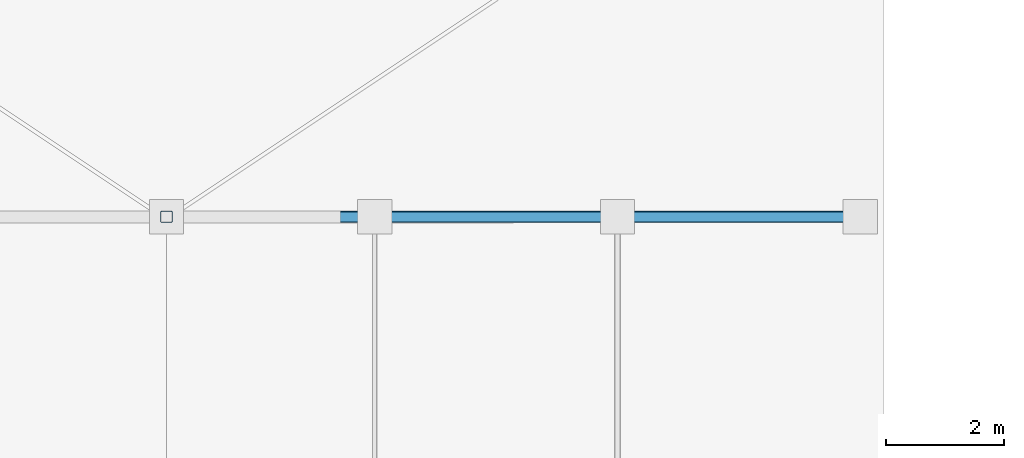
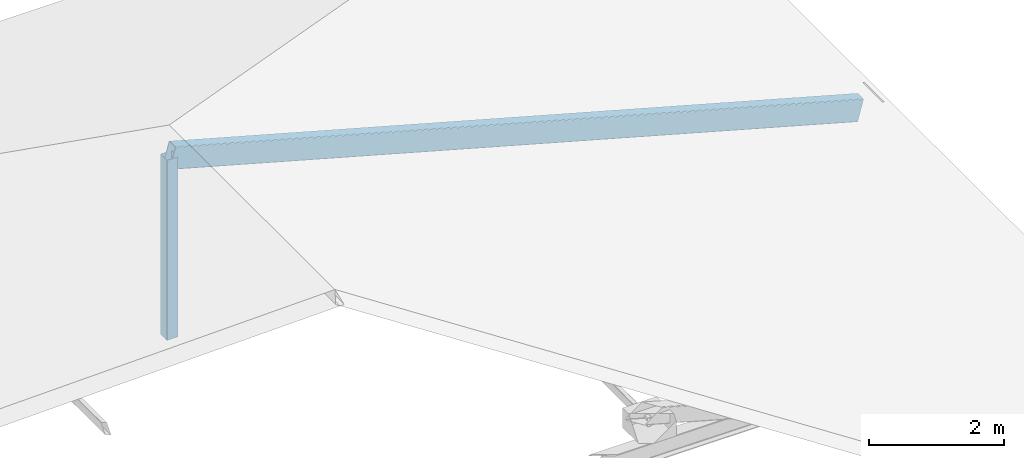
# One storey, part 29 of 54: 2 members.
"""IFC4 building model written with IfcOpenShell, lengths in metres."""

from ifc_helpers import new_model, si_unit, direction, frame, origin, origin_2d, place, context, subcontext, project, spatial, hollow_rectangle, extrude, material, material_profile, profile_set, type_object, element, save


model = new_model("IFC4")

# Units and contexts
model_context = context("Model", 3, precision=1e-05, world=origin(), true_north=direction((0.0, 1.0)))
body_context = subcontext(model_context, "Body", "Model", "MODEL_VIEW")
ifc_project = project(units=[si_unit("LENGTHUNIT", "METRE"), si_unit("AREAUNIT", "SQUARE_METRE"), si_unit("VOLUMEUNIT", "CUBIC_METRE"), si_unit("PLANEANGLEUNIT", "RADIAN"), si_unit("MASSUNIT", "GRAM", prefix="KILO")], contexts=[model_context])

# Site, building, storey
site_placement = place(None, origin())
site = spatial("IfcSite", under=ifc_project, at=site_placement, CompositionType="ELEMENT")
building_placement = place(site_placement, origin())
building = spatial("IfcBuilding", under=site, at=building_placement, Name="Parian Resonance Hall", CompositionType="ELEMENT")
storey_placement = place(building_placement, frame((0.0, 0.0, 15.0)))
storey = spatial("IfcBuildingStorey", under=building, at=storey_placement, Name="L03", CompositionType="ELEMENT", Elevation=15.0)

# Members
ifc_material_1 = material(Name="Hollow structural steel S355", Category="steel")
ifc_material_profile_1 = material_profile(ifc_material_1, hollow_rectangle(XDim=0.199951171875, YDim=0.39990234375, WallThickness=0.01416015625, InnerFilletRadius=0.01416015625, OuterFilletRadius=0.0283203125, at=origin_2d()), Name="RHS400x200x14.2")
ifc_profile_set_1 = profile_set([ifc_material_profile_1], Name="Hollow structural steel S355")
member_type_1 = type_object("IfcMemberType", Name="MEM-RHS400", PredefinedType="RAFTER", material=ifc_profile_set_1)
member_1_placement = place(storey_placement, frame((23.89990234375, 97.199951171875, 0.0), z_axis=(-0.963811120254, 0.0, 0.266586054538), x_axis=(0.0, -1.0, 0.0)))
element("IfcMember", 1, at=member_1_placement, inside=storey, type_object=member_type_1, Name="Chamber roof east rafter 2", PredefinedType="RAFTER", context=body_context, shape_type="SweptSolid", body=[
    extrude(hollow_rectangle(XDim=0.199951171875, YDim=0.39990234375, WallThickness=0.01416015625, InnerFilletRadius=0.01416015625, OuterFilletRadius=0.0283203125, at=origin_2d()), origin(), (0.0, 0.0, 1.0), 12.191162109375),
])
ifc_material_2 = material(Name="Hollow structural steel S355", Category="steel")
ifc_material_profile_2 = material_profile(ifc_material_2, hollow_rectangle(XDim=0.199951171875, YDim=0.199951171875, WallThickness=0.010009765625, InnerFilletRadius=0.010009765625, OuterFilletRadius=0.02001953125, at=origin_2d()), Name="SHS200x200x10")
ifc_profile_set_2 = profile_set([ifc_material_profile_2], Name="Hollow structural steel S355")
member_type_2 = type_object("IfcMemberType", Name="MEM-SHS200", PredefinedType="POST", material=ifc_profile_set_2)
member_2_placement = place(storey_placement, frame((12.14990234375, 97.199951171875, 0.0), z_axis=(0.0, 0.0, 1.0), x_axis=(1.0, 0.0, 0.0)))
element("IfcMember", 2, at=member_2_placement, inside=storey, type_object=member_type_2, Name="Chamber roof king post 2", PredefinedType="POST", context=body_context, shape_type="SweptSolid", body=[
    extrude(hollow_rectangle(XDim=0.199951171875, YDim=0.199951171875, WallThickness=0.010009765625, InnerFilletRadius=0.010009765625, OuterFilletRadius=0.02001953125, at=origin_2d()), origin(), (0.0, 0.0, 1.0), 3.25),
])

save(model, "model.ifc")
